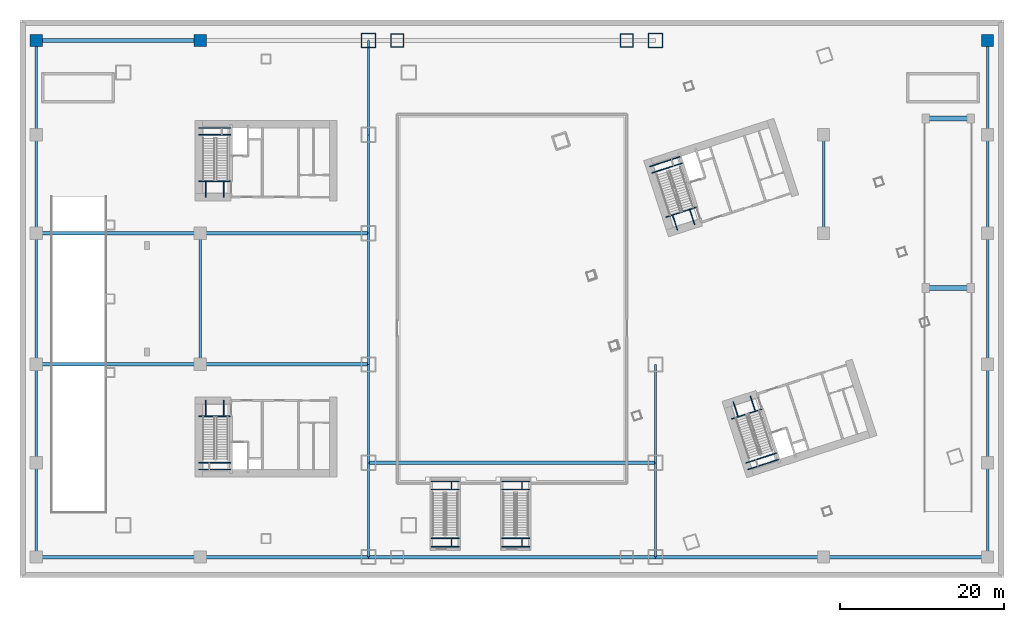
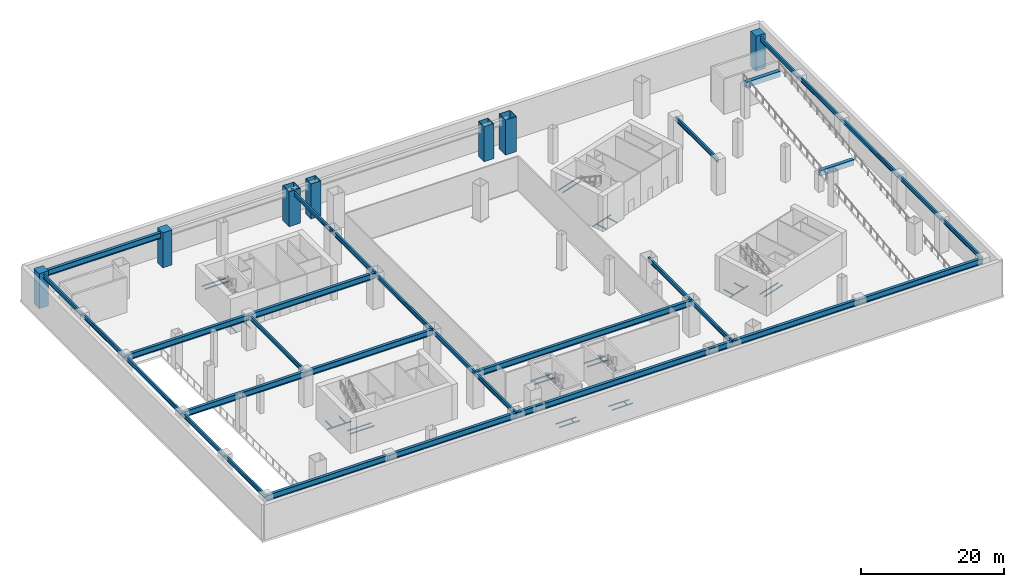
# One storey, part 3 of 20: 64 beams, 7 columns.
"""IFC4 building model written with IfcOpenShell, lengths in metres."""

from ifc_helpers import new_model, si_unit, direction, frame, origin, origin_2d, place, context, subcontext, project, spatial, rectangle, hollow_rectangle, i_section, extrude, material, material_profile, profile_set, type_object, element, save


model = new_model("IFC4")

# Units and contexts
model_context = context("Model", 3, precision=1e-05, world=origin(), true_north=direction((0.0, 1.0)))
body_context = subcontext(model_context, "Body", "Model", "MODEL_VIEW")
ifc_project = project(units=[si_unit("LENGTHUNIT", "METRE"), si_unit("AREAUNIT", "SQUARE_METRE"), si_unit("VOLUMEUNIT", "CUBIC_METRE"), si_unit("PLANEANGLEUNIT", "RADIAN"), si_unit("MASSUNIT", "GRAM", prefix="KILO")], contexts=[model_context])

# Site, building, storey
site_placement = place(None, origin())
site = spatial("IfcSite", under=ifc_project, at=site_placement, CompositionType="ELEMENT")
building_placement = place(site_placement, origin())
building = spatial("IfcBuilding", under=site, at=building_placement, Name="Qiaolan Cultural Towers", CompositionType="ELEMENT")
storey_placement = place(building_placement, frame((0.0, 0.0, -6.0)))
storey = spatial("IfcBuildingStorey", under=building, at=storey_placement, Name="B1", CompositionType="ELEMENT", Elevation=-6.0)

# Columns
ifc_material_1 = material(Name="Steel Q420GJB", Category="steel")
ifc_material_profile_1 = material_profile(ifc_material_1, hollow_rectangle(XDim=1.60009765625, YDim=1.60009765625, WallThickness=0.054931640625, at=origin_2d()), Name="BOX1600x1600x55")
ifc_profile_set_1 = profile_set([ifc_material_profile_1], Name="Steel Q420GJB")
column_type_1 = type_object("IfcColumnType", Name="COL-BOX1600x1600x55", PredefinedType="COLUMN", material=ifc_profile_set_1)
for number, where, z_axis, x_axis, name in (
    (1, (46.0, 65.5, 0.0), (0.0, 0.0, 1.0), (1.0, 0.0, 0.0), "B1 Podium Column PC-MID-46-65"),
    (2, (74.0, 65.5, 0.0), (0.0, 0.0, 1.0), (1.0, 0.0, 0.0), "B1 Podium Column PC-MID-74-65"),
):
    element("IfcColumn", number, at=place(storey_placement, frame(where, z_axis=z_axis, x_axis=x_axis)), inside=storey, type_object=column_type_1, Name=name, PredefinedType="COLUMN", context=body_context, shape_type="SweptSolid", body=[
        extrude(hollow_rectangle(XDim=1.60009765625, YDim=1.60009765625, WallThickness=0.054931640625, at=origin_2d()), origin(), (0.0, 0.0, 1.0), 6.0009765625),
    ])
ifc_material_2 = material(Name="Steel Q420GJB", Category="steel")
ifc_material_profile_2 = material_profile(ifc_material_2, hollow_rectangle(XDim=1.800048828125, YDim=1.800048828125, WallThickness=0.06005859375, at=origin_2d()), Name="BOX1800x1800x60")
ifc_profile_set_2 = profile_set([ifc_material_profile_2], Name="Steel Q420GJB")
column_type_2 = type_object("IfcColumnType", Name="COL-BOX1800x1800x60", PredefinedType="COLUMN", material=ifc_profile_set_2)
for number, where, z_axis, x_axis, name in (
    (3, (42.5, 65.5, 0.0), (0.0, 0.0, 1.0), (1.0, 0.0, 0.0), "B1 Podium Column PC-42-65"),
    (4, (77.5, 65.5, 0.0), (0.0, 0.0, 1.0), (1.0, 0.0, 0.0), "B1 Podium Column PC-77-65"),
):
    element("IfcColumn", number, at=place(storey_placement, frame(where, z_axis=z_axis, x_axis=x_axis)), inside=storey, type_object=column_type_2, Name=name, PredefinedType="COLUMN", context=body_context, shape_type="SweptSolid", body=[
        extrude(hollow_rectangle(XDim=1.800048828125, YDim=1.800048828125, WallThickness=0.06005859375, at=origin_2d()), origin(), (0.0, 0.0, 1.0), 6.0009765625),
    ])
ifc_material_3 = material(Name="Concrete C60", Category="concrete")
ifc_material_profile_3 = material_profile(ifc_material_3, rectangle(XDim=1.5, YDim=1.5, at=origin_2d()), Name="RC1500x1500")
ifc_profile_set_3 = profile_set([ifc_material_profile_3], Name="Concrete C60")
column_type_3 = type_object("IfcColumnType", Name="COL-RC1500x1500", PredefinedType="COLUMN", material=ifc_profile_set_3)
for number, where, z_axis, x_axis, name in (
    (5, (2.0, 65.5, 0.0), (0.0, 0.0, 1.0), (1.0, 0.0, 0.0), "B1 Podium Column PC-2-65"),
    (6, (22.0, 65.5, 0.0), (0.0, 0.0, 1.0), (1.0, 0.0, 0.0), "B1 Podium Column PC-22-65"),
    (7, (118.0, 65.5, 0.0), (0.0, 0.0, 1.0), (1.0, 0.0, 0.0), "B1 Podium Column PC-118-65"),
):
    element("IfcColumn", number, at=place(storey_placement, frame(where, z_axis=z_axis, x_axis=x_axis)), inside=storey, type_object=column_type_3, Name=name, PredefinedType="COLUMN", context=body_context, shape_type="SweptSolid", body=[
        extrude(rectangle(XDim=1.5, YDim=1.5, at=origin_2d()), origin(), (0.0, 0.0, 1.0), 6.0009765625),
    ])

# Beams
ifc_material_4 = material(Name="Steel Q390GJB", Category="steel")
ifc_material_profile_4 = material_profile(ifc_material_4, i_section(OverallWidth=0.449951171875, OverallDepth=1.0, WebThickness=0.02392578125, FlangeThickness=0.0400390625, at=origin_2d()), Name="BH1000x450x24x40")
ifc_profile_set_4 = profile_set([ifc_material_profile_4], Name="Steel Q390GJB")
beam_type_1 = type_object("IfcBeamType", Name="BM-BH1000x450x24x40", PredefinedType="BEAM", material=ifc_profile_set_4)
beam_1_placement = place(storey_placement, frame((2.0, 2.5, 5.199951171875), z_axis=(1.0, 0.0, 0.0), x_axis=(0.0, 1.0, 0.0)))
element("IfcBeam", 8, at=beam_1_placement, inside=storey, type_object=beam_type_1, Name="B1 Podium Primary Girder Y=2.5", PredefinedType="BEAM", context=body_context, shape_type="SweptSolid", body=[
    extrude(i_section(OverallWidth=0.449951171875, OverallDepth=1.0, WebThickness=0.02392578125, FlangeThickness=0.0400390625, at=origin_2d()), origin(), (0.0, 0.0, 1.0), 20.0),
])
beam_2_placement = place(storey_placement, frame((22.0, 2.5, 5.199951171875), z_axis=(1.0, 0.0, 0.0), x_axis=(0.0, 1.0, 0.0)))
element("IfcBeam", 9, at=beam_2_placement, inside=storey, type_object=beam_type_1, Name="B1 Podium Primary Girder Y=2.5", PredefinedType="BEAM", context=body_context, shape_type="SweptSolid", body=[
    extrude(i_section(OverallWidth=0.449951171875, OverallDepth=1.0, WebThickness=0.02392578125, FlangeThickness=0.0400390625, at=origin_2d()), origin(), (0.0, 0.0, 1.0), 20.5),
])
beam_3_placement = place(storey_placement, frame((42.5, 2.5, 5.199951171875), z_axis=(1.0, 0.0, 0.0), x_axis=(0.0, 1.0, 0.0)))
element("IfcBeam", 10, at=beam_3_placement, inside=storey, type_object=beam_type_1, Name="B1 Podium Primary Girder Y=2.5", PredefinedType="BEAM", context=body_context, shape_type="SweptSolid", body=[
    extrude(i_section(OverallWidth=0.449951171875, OverallDepth=1.0, WebThickness=0.02392578125, FlangeThickness=0.0400390625, at=origin_2d()), origin(), (0.0, 0.0, 1.0), 35.0),
])
beam_4_placement = place(storey_placement, frame((77.5, 2.5, 5.199951171875), z_axis=(1.0, 0.0, 0.0), x_axis=(0.0, 1.0, 0.0)))
element("IfcBeam", 11, at=beam_4_placement, inside=storey, type_object=beam_type_1, Name="B1 Podium Primary Girder Y=2.5", PredefinedType="BEAM", context=body_context, shape_type="SweptSolid", body=[
    extrude(i_section(OverallWidth=0.449951171875, OverallDepth=1.0, WebThickness=0.02392578125, FlangeThickness=0.0400390625, at=origin_2d()), origin(), (0.0, 0.0, 1.0), 20.5),
])
beam_5_placement = place(storey_placement, frame((98.0, 2.5, 5.199951171875), z_axis=(1.0, 0.0, 0.0), x_axis=(0.0, 1.0, 0.0)))
element("IfcBeam", 12, at=beam_5_placement, inside=storey, type_object=beam_type_1, Name="B1 Podium Primary Girder Y=2.5", PredefinedType="BEAM", context=body_context, shape_type="SweptSolid", body=[
    extrude(i_section(OverallWidth=0.449951171875, OverallDepth=1.0, WebThickness=0.02392578125, FlangeThickness=0.0400390625, at=origin_2d()), origin(), (0.0, 0.0, 1.0), 20.0),
])
beam_6_placement = place(storey_placement, frame((42.5, 14.0, 5.199951171875), z_axis=(1.0, 0.0, 0.0), x_axis=(0.0, 1.0, 0.0)))
element("IfcBeam", 13, at=beam_6_placement, inside=storey, type_object=beam_type_1, Name="B1 Podium Primary Girder Y=14.0", PredefinedType="BEAM", context=body_context, shape_type="SweptSolid", body=[
    extrude(i_section(OverallWidth=0.449951171875, OverallDepth=1.0, WebThickness=0.02392578125, FlangeThickness=0.0400390625, at=origin_2d()), origin(), (0.0, 0.0, 1.0), 35.0),
])
beam_7_placement = place(storey_placement, frame((2.0, 26.0, 5.199951171875), z_axis=(1.0, 0.0, 0.0), x_axis=(0.0, 1.0, 0.0)))
element("IfcBeam", 14, at=beam_7_placement, inside=storey, type_object=beam_type_1, Name="B1 Podium Primary Girder Y=26.0", PredefinedType="BEAM", context=body_context, shape_type="SweptSolid", body=[
    extrude(i_section(OverallWidth=0.449951171875, OverallDepth=1.0, WebThickness=0.02392578125, FlangeThickness=0.0400390625, at=origin_2d()), origin(), (0.0, 0.0, 1.0), 20.0),
])
beam_8_placement = place(storey_placement, frame((22.0, 26.0, 5.199951171875), z_axis=(1.0, 0.0, 0.0), x_axis=(0.0, 1.0, 0.0)))
element("IfcBeam", 15, at=beam_8_placement, inside=storey, type_object=beam_type_1, Name="B1 Podium Primary Girder Y=26.0", PredefinedType="BEAM", context=body_context, shape_type="SweptSolid", body=[
    extrude(i_section(OverallWidth=0.449951171875, OverallDepth=1.0, WebThickness=0.02392578125, FlangeThickness=0.0400390625, at=origin_2d()), origin(), (0.0, 0.0, 1.0), 20.5),
])
beam_9_placement = place(storey_placement, frame((2.0, 42.0, 5.199951171875), z_axis=(1.0, 0.0, 0.0), x_axis=(0.0, 1.0, 0.0)))
element("IfcBeam", 16, at=beam_9_placement, inside=storey, type_object=beam_type_1, Name="B1 Podium Primary Girder Y=42.0", PredefinedType="BEAM", context=body_context, shape_type="SweptSolid", body=[
    extrude(i_section(OverallWidth=0.449951171875, OverallDepth=1.0, WebThickness=0.02392578125, FlangeThickness=0.0400390625, at=origin_2d()), origin(), (0.0, 0.0, 1.0), 20.0),
])
beam_10_placement = place(storey_placement, frame((22.0, 42.0, 5.199951171875), z_axis=(1.0, 0.0, 0.0), x_axis=(0.0, 1.0, 0.0)))
element("IfcBeam", 17, at=beam_10_placement, inside=storey, type_object=beam_type_1, Name="B1 Podium Primary Girder Y=42.0", PredefinedType="BEAM", context=body_context, shape_type="SweptSolid", body=[
    extrude(i_section(OverallWidth=0.449951171875, OverallDepth=1.0, WebThickness=0.02392578125, FlangeThickness=0.0400390625, at=origin_2d()), origin(), (0.0, 0.0, 1.0), 20.5),
])
beam_11_placement = place(storey_placement, frame((2.0, 65.5, 5.199951171875), z_axis=(1.0, 0.0, 0.0), x_axis=(0.0, 1.0, 0.0)))
element("IfcBeam", 18, at=beam_11_placement, inside=storey, type_object=beam_type_1, Name="B1 Podium Primary Girder Y=65.5", PredefinedType="BEAM", context=body_context, shape_type="SweptSolid", body=[
    extrude(i_section(OverallWidth=0.449951171875, OverallDepth=1.0, WebThickness=0.02392578125, FlangeThickness=0.0400390625, at=origin_2d()), origin(), (0.0, 0.0, 1.0), 20.0),
])
ifc_material_5 = material(Name="Steel Q355B", Category="steel")
ifc_material_profile_5 = material_profile(ifc_material_5, i_section(OverallWidth=0.300048828125, OverallDepth=0.699951171875, WebThickness=0.012939453125, FlangeThickness=0.02392578125, at=origin_2d()), Name="HN700x300x13x24")
ifc_profile_set_5 = profile_set([ifc_material_profile_5], Name="Steel Q355B")
beam_type_2 = type_object("IfcBeamType", Name="BM-HN700x300x13x24", PredefinedType="BEAM", material=ifc_profile_set_5)
beam_12_placement = place(storey_placement, frame((2.0, 2.5, 5.35009765625), z_axis=(0.0, 1.0, 0.0), x_axis=(-1.0, 0.0, 0.0)))
element("IfcBeam", 19, at=beam_12_placement, inside=storey, type_object=beam_type_2, Name="B1 Podium Transverse Beam X=2.0", PredefinedType="BEAM", context=body_context, shape_type="SweptSolid", body=[
    extrude(i_section(OverallWidth=0.300048828125, OverallDepth=0.699951171875, WebThickness=0.012939453125, FlangeThickness=0.02392578125, at=origin_2d()), origin(), (0.0, 0.0, 1.0), 11.5),
])
beam_13_placement = place(storey_placement, frame((2.0, 14.0, 5.35009765625), z_axis=(0.0, 1.0, 0.0), x_axis=(-1.0, 0.0, 0.0)))
element("IfcBeam", 20, at=beam_13_placement, inside=storey, type_object=beam_type_2, Name="B1 Podium Transverse Beam X=2.0", PredefinedType="BEAM", context=body_context, shape_type="SweptSolid", body=[
    extrude(i_section(OverallWidth=0.300048828125, OverallDepth=0.699951171875, WebThickness=0.012939453125, FlangeThickness=0.02392578125, at=origin_2d()), origin(), (0.0, 0.0, 1.0), 12.0),
])
beam_14_placement = place(storey_placement, frame((2.0, 26.0, 5.35009765625), z_axis=(0.0, 1.0, 0.0), x_axis=(-1.0, 0.0, 0.0)))
element("IfcBeam", 21, at=beam_14_placement, inside=storey, type_object=beam_type_2, Name="B1 Podium Transverse Beam X=2.0", PredefinedType="BEAM", context=body_context, shape_type="SweptSolid", body=[
    extrude(i_section(OverallWidth=0.300048828125, OverallDepth=0.699951171875, WebThickness=0.012939453125, FlangeThickness=0.02392578125, at=origin_2d()), origin(), (0.0, 0.0, 1.0), 16.0),
])
beam_15_placement = place(storey_placement, frame((2.0, 42.0, 5.35009765625), z_axis=(0.0, 1.0, 0.0), x_axis=(-1.0, 0.0, 0.0)))
element("IfcBeam", 22, at=beam_15_placement, inside=storey, type_object=beam_type_2, Name="B1 Podium Transverse Beam X=2.0", PredefinedType="BEAM", context=body_context, shape_type="SweptSolid", body=[
    extrude(i_section(OverallWidth=0.300048828125, OverallDepth=0.699951171875, WebThickness=0.012939453125, FlangeThickness=0.02392578125, at=origin_2d()), origin(), (0.0, 0.0, 1.0), 12.0),
])
beam_16_placement = place(storey_placement, frame((2.0, 54.0, 5.35009765625), z_axis=(0.0, 1.0, 0.0), x_axis=(-1.0, 0.0, 0.0)))
element("IfcBeam", 23, at=beam_16_placement, inside=storey, type_object=beam_type_2, Name="B1 Podium Transverse Beam X=2.0", PredefinedType="BEAM", context=body_context, shape_type="SweptSolid", body=[
    extrude(i_section(OverallWidth=0.300048828125, OverallDepth=0.699951171875, WebThickness=0.012939453125, FlangeThickness=0.02392578125, at=origin_2d()), origin(), (0.0, 0.0, 1.0), 11.5),
])
beam_17_placement = place(storey_placement, frame((22.0, 26.0, 5.35009765625), z_axis=(0.0, 1.0, 0.0), x_axis=(-1.0, 0.0, 0.0)))
element("IfcBeam", 24, at=beam_17_placement, inside=storey, type_object=beam_type_2, Name="B1 Podium Transverse Beam X=22.0", PredefinedType="BEAM", context=body_context, shape_type="SweptSolid", body=[
    extrude(i_section(OverallWidth=0.300048828125, OverallDepth=0.699951171875, WebThickness=0.012939453125, FlangeThickness=0.02392578125, at=origin_2d()), origin(), (0.0, 0.0, 1.0), 16.0),
])
beam_18_placement = place(storey_placement, frame((42.5, 2.5, 5.35009765625), z_axis=(0.0, 1.0, 0.0), x_axis=(-1.0, 0.0, 0.0)))
element("IfcBeam", 25, at=beam_18_placement, inside=storey, type_object=beam_type_2, Name="B1 Podium Transverse Beam X=42.5", PredefinedType="BEAM", context=body_context, shape_type="SweptSolid", body=[
    extrude(i_section(OverallWidth=0.300048828125, OverallDepth=0.699951171875, WebThickness=0.012939453125, FlangeThickness=0.02392578125, at=origin_2d()), origin(), (0.0, 0.0, 1.0), 11.5),
])
beam_19_placement = place(storey_placement, frame((42.5, 14.0, 5.35009765625), z_axis=(0.0, 1.0, 0.0), x_axis=(-1.0, 0.0, 0.0)))
element("IfcBeam", 26, at=beam_19_placement, inside=storey, type_object=beam_type_2, Name="B1 Podium Transverse Beam X=42.5", PredefinedType="BEAM", context=body_context, shape_type="SweptSolid", body=[
    extrude(i_section(OverallWidth=0.300048828125, OverallDepth=0.699951171875, WebThickness=0.012939453125, FlangeThickness=0.02392578125, at=origin_2d()), origin(), (0.0, 0.0, 1.0), 12.0),
])
beam_20_placement = place(storey_placement, frame((42.5, 26.0, 5.35009765625), z_axis=(0.0, 1.0, 0.0), x_axis=(-1.0, 0.0, 0.0)))
element("IfcBeam", 27, at=beam_20_placement, inside=storey, type_object=beam_type_2, Name="B1 Podium Transverse Beam X=42.5", PredefinedType="BEAM", context=body_context, shape_type="SweptSolid", body=[
    extrude(i_section(OverallWidth=0.300048828125, OverallDepth=0.699951171875, WebThickness=0.012939453125, FlangeThickness=0.02392578125, at=origin_2d()), origin(), (0.0, 0.0, 1.0), 16.0),
])
beam_21_placement = place(storey_placement, frame((42.5, 42.0, 5.35009765625), z_axis=(0.0, 1.0, 0.0), x_axis=(-1.0, 0.0, 0.0)))
element("IfcBeam", 28, at=beam_21_placement, inside=storey, type_object=beam_type_2, Name="B1 Podium Transverse Beam X=42.5", PredefinedType="BEAM", context=body_context, shape_type="SweptSolid", body=[
    extrude(i_section(OverallWidth=0.300048828125, OverallDepth=0.699951171875, WebThickness=0.012939453125, FlangeThickness=0.02392578125, at=origin_2d()), origin(), (0.0, 0.0, 1.0), 12.0),
])
for number, where, z_axis, x_axis, name in (
    (29, (42.5, 54.0, 5.35009765625), (0.0, 1.0, 0.0), (-1.0, 0.0, 0.0), "B1 Podium Transverse Beam X=42.5"),
    (30, (77.5, 2.5, 5.35009765625), (0.0, 1.0, 0.0), (-1.0, 0.0, 0.0), "B1 Podium Transverse Beam X=77.5"),
):
    element("IfcBeam", number, at=place(storey_placement, frame(where, z_axis=z_axis, x_axis=x_axis)), inside=storey, type_object=beam_type_2, Name=name, PredefinedType="BEAM", context=body_context, shape_type="SweptSolid", body=[
        extrude(i_section(OverallWidth=0.300048828125, OverallDepth=0.699951171875, WebThickness=0.012939453125, FlangeThickness=0.02392578125, at=origin_2d()), origin(), (0.0, 0.0, 1.0), 11.5),
    ])
for number, where, z_axis, x_axis, name in (
    (31, (77.5, 14.0, 5.35009765625), (0.0, 1.0, 0.0), (-1.0, 0.0, 0.0), "B1 Podium Transverse Beam X=77.5"),
    (32, (98.0, 42.0, 5.35009765625), (0.0, 1.0, 0.0), (-1.0, 0.0, 0.0), "B1 Podium Transverse Beam X=98.0"),
):
    element("IfcBeam", number, at=place(storey_placement, frame(where, z_axis=z_axis, x_axis=x_axis)), inside=storey, type_object=beam_type_2, Name=name, PredefinedType="BEAM", context=body_context, shape_type="SweptSolid", body=[
        extrude(i_section(OverallWidth=0.300048828125, OverallDepth=0.699951171875, WebThickness=0.012939453125, FlangeThickness=0.02392578125, at=origin_2d()), origin(), (0.0, 0.0, 1.0), 12.0),
    ])
beam_22_placement = place(storey_placement, frame((118.0, 2.5, 5.35009765625), z_axis=(0.0, 1.0, 0.0), x_axis=(-1.0, 0.0, 0.0)))
element("IfcBeam", 33, at=beam_22_placement, inside=storey, type_object=beam_type_2, Name="B1 Podium Transverse Beam X=118.0", PredefinedType="BEAM", context=body_context, shape_type="SweptSolid", body=[
    extrude(i_section(OverallWidth=0.300048828125, OverallDepth=0.699951171875, WebThickness=0.012939453125, FlangeThickness=0.02392578125, at=origin_2d()), origin(), (0.0, 0.0, 1.0), 11.5),
])
beam_23_placement = place(storey_placement, frame((118.0, 14.0, 5.35009765625), z_axis=(0.0, 1.0, 0.0), x_axis=(-1.0, 0.0, 0.0)))
element("IfcBeam", 34, at=beam_23_placement, inside=storey, type_object=beam_type_2, Name="B1 Podium Transverse Beam X=118.0", PredefinedType="BEAM", context=body_context, shape_type="SweptSolid", body=[
    extrude(i_section(OverallWidth=0.300048828125, OverallDepth=0.699951171875, WebThickness=0.012939453125, FlangeThickness=0.02392578125, at=origin_2d()), origin(), (0.0, 0.0, 1.0), 12.0),
])
beam_24_placement = place(storey_placement, frame((118.0, 26.0, 5.35009765625), z_axis=(0.0, 1.0, 0.0), x_axis=(-1.0, 0.0, 0.0)))
element("IfcBeam", 35, at=beam_24_placement, inside=storey, type_object=beam_type_2, Name="B1 Podium Transverse Beam X=118.0", PredefinedType="BEAM", context=body_context, shape_type="SweptSolid", body=[
    extrude(i_section(OverallWidth=0.300048828125, OverallDepth=0.699951171875, WebThickness=0.012939453125, FlangeThickness=0.02392578125, at=origin_2d()), origin(), (0.0, 0.0, 1.0), 16.0),
])
beam_25_placement = place(storey_placement, frame((118.0, 42.0, 5.35009765625), z_axis=(0.0, 1.0, 0.0), x_axis=(-1.0, 0.0, 0.0)))
element("IfcBeam", 36, at=beam_25_placement, inside=storey, type_object=beam_type_2, Name="B1 Podium Transverse Beam X=118.0", PredefinedType="BEAM", context=body_context, shape_type="SweptSolid", body=[
    extrude(i_section(OverallWidth=0.300048828125, OverallDepth=0.699951171875, WebThickness=0.012939453125, FlangeThickness=0.02392578125, at=origin_2d()), origin(), (0.0, 0.0, 1.0), 12.0),
])
beam_26_placement = place(storey_placement, frame((118.0, 54.0, 5.35009765625), z_axis=(0.0, 1.0, 0.0), x_axis=(-1.0, 0.0, 0.0)))
element("IfcBeam", 37, at=beam_26_placement, inside=storey, type_object=beam_type_2, Name="B1 Podium Transverse Beam X=118.0", PredefinedType="BEAM", context=body_context, shape_type="SweptSolid", body=[
    extrude(i_section(OverallWidth=0.300048828125, OverallDepth=0.699951171875, WebThickness=0.012939453125, FlangeThickness=0.02392578125, at=origin_2d()), origin(), (0.0, 0.0, 1.0), 11.5),
])
ifc_material_6 = material(Name="Concrete C50", Category="concrete")
ifc_material_profile_6 = material_profile(ifc_material_6, rectangle(XDim=0.60009765625, YDim=0.949951171875, at=origin_2d()), Name="RC600x950")
ifc_profile_set_6 = profile_set([ifc_material_profile_6], Name="Concrete C50")
beam_type_3 = type_object("IfcBeamType", Name="BM-SPD-RC600x950", PredefinedType="SPANDREL", material=ifc_profile_set_6)
for number, where, z_axis, x_axis, name in (
    (38, (110.449951171875, 35.300048828125, 2.949951171875), (1.0, 0.0, 0.0), (0.0, 1.0, 0.0), "B1 Vehicle Ramp Mid-Span Support Beam"),
    (39, (110.449951171875, 56.0, 5.52001953125), (1.0, 0.0, 0.0), (0.0, 1.0, 0.0), "B1 Vehicle Ramp Top Landing Support Beam"),
):
    element("IfcBeam", number, at=place(storey_placement, frame(where, z_axis=z_axis, x_axis=x_axis)), inside=storey, type_object=beam_type_3, Name=name, PredefinedType="SPANDREL", context=body_context, shape_type="SweptSolid", body=[
        extrude(rectangle(XDim=0.60009765625, YDim=0.949951171875, at=origin_2d()), origin(), (0.0, 0.0, 1.0), 5.5),
    ])
ifc_material_7 = material(Name="Steel Q355B", Category="steel")
ifc_material_profile_7 = material_profile(ifc_material_7, i_section(OverallWidth=0.10009765625, OverallDepth=0.199951171875, WebThickness=0.005615234375, FlangeThickness=0.008056640625, at=origin_2d()), Name="HN200x100x5.5x8")
ifc_profile_set_7 = profile_set([ifc_material_profile_7], Name="Steel Q355B")
beam_type_4 = type_object("IfcBeamType", Name="BM-STTRIM-200", PredefinedType="BEAM", material=ifc_profile_set_7)
beam_27_placement = place(storey_placement, frame((21.800048828125, 19.659912109375, -0.4599609375), z_axis=(1.0, 0.0, 0.0), x_axis=(0.0, 1.0, 0.0)))
element("IfcBeam", 40, at=beam_27_placement, inside=storey, type_object=beam_type_4, Name="B1 ST-W1 Floor Landing Header Beam", PredefinedType="BEAM", context=body_context, shape_type="SweptSolid", body=[
    extrude(i_section(OverallWidth=0.10009765625, OverallDepth=0.199951171875, WebThickness=0.005615234375, FlangeThickness=0.008056640625, at=origin_2d()), origin(), (0.0, 0.0, 1.0), 3.919921875),
])
for number, where, z_axis, x_axis, name in (
    (41, (22.64990234375, 21.60009765625, -0.4599609375), (0.0, -1.0, 0.0), (1.0, 0.0, 0.0), "B1 ST-W1 Floor Landing Stringer 1"),
    (42, (24.85009765625, 21.60009765625, -0.4599609375), (0.0, -1.0, 0.0), (1.0, 0.0, 0.0), "B1 ST-W1 Floor Landing Stringer 2"),
):
    element("IfcBeam", number, at=place(storey_placement, frame(where, z_axis=z_axis, x_axis=x_axis)), inside=storey, type_object=beam_type_4, Name=name, PredefinedType="BEAM", context=body_context, shape_type="SweptSolid", body=[
        extrude(i_section(OverallWidth=0.10009765625, OverallDepth=0.199951171875, WebThickness=0.005615234375, FlangeThickness=0.008056640625, at=origin_2d()), origin(), (0.0, 0.0, 1.0), 1.940185546875),
    ])
for number, where, z_axis, x_axis, name in (
    (43, (21.800048828125, 14.01123046875, 2.699951171875), (1.0, 0.0, 0.0), (0.0, 1.0, 0.0), "B1 ST-W1 Stair Landing Support Beam 1-1"),
    (44, (21.800048828125, 13.179931640625, 2.699951171875), (1.0, 0.0, 0.0), (0.0, 1.0, 0.0), "B1 ST-W1 Stair Landing Support Beam 1-2"),
    (45, (21.800048828125, 48.340087890625, -0.4599609375), (1.0, 0.0, 0.0), (0.0, 1.0, 0.0), "B1 ST-W2 Floor Landing Header Beam"),
):
    element("IfcBeam", number, at=place(storey_placement, frame(where, z_axis=z_axis, x_axis=x_axis)), inside=storey, type_object=beam_type_4, Name=name, PredefinedType="BEAM", context=body_context, shape_type="SweptSolid", body=[
        extrude(i_section(OverallWidth=0.10009765625, OverallDepth=0.199951171875, WebThickness=0.005615234375, FlangeThickness=0.008056640625, at=origin_2d()), origin(), (0.0, 0.0, 1.0), 3.919921875),
    ])
for number, where, z_axis, x_axis, name in (
    (46, (22.64990234375, 46.39990234375, -0.4599609375), (0.0, 1.0, 0.0), (-1.0, 0.0, 0.0), "B1 ST-W2 Floor Landing Stringer 1"),
    (47, (24.85009765625, 46.39990234375, -0.4599609375), (0.0, 1.0, 0.0), (-1.0, 0.0, 0.0), "B1 ST-W2 Floor Landing Stringer 2"),
):
    element("IfcBeam", number, at=place(storey_placement, frame(where, z_axis=z_axis, x_axis=x_axis)), inside=storey, type_object=beam_type_4, Name=name, PredefinedType="BEAM", context=body_context, shape_type="SweptSolid", body=[
        extrude(i_section(OverallWidth=0.10009765625, OverallDepth=0.199951171875, WebThickness=0.005615234375, FlangeThickness=0.008056640625, at=origin_2d()), origin(), (0.0, 0.0, 1.0), 1.940185546875),
    ])
for number, where, z_axis, x_axis, name in (
    (48, (21.800048828125, 53.98876953125, 2.699951171875), (1.0, 0.0, 0.0), (0.0, 1.0, 0.0), "B1 ST-W2 Stair Landing Support Beam 1-1"),
    (49, (21.800048828125, 54.820068359375, 2.699951171875), (1.0, 0.0, 0.0), (0.0, 1.0, 0.0), "B1 ST-W2 Stair Landing Support Beam 1-2"),
    (50, (86.770751953125, 19.3447265625, -0.4599609375), (0.951047798727, 0.309043823005, 0.0), (-0.309043823005, 0.951047798727, 0.0), "B1 ST-E1 Floor Landing Header Beam"),
):
    element("IfcBeam", number, at=place(storey_placement, frame(where, z_axis=z_axis, x_axis=x_axis)), inside=storey, type_object=beam_type_4, Name=name, PredefinedType="BEAM", context=body_context, shape_type="SweptSolid", body=[
        extrude(i_section(OverallWidth=0.10009765625, OverallDepth=0.199951171875, WebThickness=0.005615234375, FlangeThickness=0.008056640625, at=origin_2d()), origin(), (0.0, 0.0, 1.0), 3.919921875),
    ])
for number, where, z_axis, x_axis, name in (
    (51, (86.9794921875, 21.452392578125, -0.4599609375), (0.309083226701, -0.951034993558, 0.0), (0.951034993558, 0.309083226701, 0.0), "B1 ST-E1 Floor Landing Stringer 1"),
    (52, (89.07177734375, 22.13232421875, -0.4599609375), (0.309083226701, -0.951034993558, 0.0), (0.951034993558, 0.309083226701, 0.0), "B1 ST-E1 Floor Landing Stringer 2"),
):
    element("IfcBeam", number, at=place(storey_placement, frame(where, z_axis=z_axis, x_axis=x_axis)), inside=storey, type_object=beam_type_4, Name=name, PredefinedType="BEAM", context=body_context, shape_type="SweptSolid", body=[
        extrude(i_section(OverallWidth=0.10009765625, OverallDepth=0.199951171875, WebThickness=0.005615234375, FlangeThickness=0.008056640625, at=origin_2d()), origin(), (0.0, 0.0, 1.0), 1.93994140625),
    ])
beam_28_placement = place(storey_placement, frame((88.51611328125, 13.97265625, 2.699951171875), z_axis=(0.951072048947, 0.3089691857, 0.0), x_axis=(-0.3089691857, 0.951072048947, 0.0)))
element("IfcBeam", 53, at=beam_28_placement, inside=storey, type_object=beam_type_4, Name="B1 ST-E1 Stair Landing Support Beam 1-1", PredefinedType="BEAM", context=body_context, shape_type="SweptSolid", body=[
    extrude(i_section(OverallWidth=0.10009765625, OverallDepth=0.199951171875, WebThickness=0.005615234375, FlangeThickness=0.008056640625, at=origin_2d()), origin(), (0.0, 0.0, 1.0), 3.920166015625),
])
beam_29_placement = place(storey_placement, frame((88.773193359375, 13.181884765625, 2.699951171875), z_axis=(0.951047798727, 0.309043823005, 0.0), x_axis=(-0.309043823005, 0.951047798727, 0.0)))
element("IfcBeam", 54, at=beam_29_placement, inside=storey, type_object=beam_type_4, Name="B1 ST-E1 Stair Landing Support Beam 1-2", PredefinedType="BEAM", context=body_context, shape_type="SweptSolid", body=[
    extrude(i_section(OverallWidth=0.10009765625, OverallDepth=0.199951171875, WebThickness=0.005615234375, FlangeThickness=0.008056640625, at=origin_2d()), origin(), (0.0, 0.0, 1.0), 3.919921875),
])
beam_30_placement = place(storey_placement, frame((78.773193359375, 43.958251953125, -0.4599609375), z_axis=(0.951072048947, 0.3089691857, 0.0), x_axis=(-0.3089691857, 0.951072048947, 0.0)))
element("IfcBeam", 55, at=beam_30_placement, inside=storey, type_object=beam_type_4, Name="B1 ST-E2 Floor Landing Header Beam", PredefinedType="BEAM", context=body_context, shape_type="SweptSolid", body=[
    extrude(i_section(OverallWidth=0.10009765625, OverallDepth=0.199951171875, WebThickness=0.005615234375, FlangeThickness=0.008056640625, at=origin_2d()), origin(), (0.0, 0.0, 1.0), 3.920166015625),
])
for number, where, z_axis, x_axis, name in (
    (56, (80.18115234375, 42.375732421875, -0.4599609375), (-0.308969394428, 0.951071981138, 0.0), (-0.951071981138, -0.308969394428, 0.0), "B1 ST-E2 Floor Landing Stringer 1"),
    (57, (82.2734375, 43.0556640625, -0.4599609375), (-0.308969394428, 0.951071981138, 0.0), (-0.951071981138, -0.308969394428, 0.0), "B1 ST-E2 Floor Landing Stringer 2"),
):
    element("IfcBeam", number, at=place(storey_placement, frame(where, z_axis=z_axis, x_axis=x_axis)), inside=storey, type_object=beam_type_4, Name=name, PredefinedType="BEAM", context=body_context, shape_type="SweptSolid", body=[
        extrude(i_section(OverallWidth=0.10009765625, OverallDepth=0.199951171875, WebThickness=0.005615234375, FlangeThickness=0.008056640625, at=origin_2d()), origin(), (0.0, 0.0, 1.0), 1.93994140625),
    ])
beam_31_placement = place(storey_placement, frame((77.02783203125, 49.330322265625, 2.699951171875), z_axis=(0.951047798727, 0.309043823005, 0.0), x_axis=(-0.309043823005, 0.951047798727, 0.0)))
element("IfcBeam", 58, at=beam_31_placement, inside=storey, type_object=beam_type_4, Name="B1 ST-E2 Stair Landing Support Beam 1-1", PredefinedType="BEAM", context=body_context, shape_type="SweptSolid", body=[
    extrude(i_section(OverallWidth=0.10009765625, OverallDepth=0.199951171875, WebThickness=0.005615234375, FlangeThickness=0.008056640625, at=origin_2d()), origin(), (0.0, 0.0, 1.0), 3.919921875),
])
beam_32_placement = place(storey_placement, frame((76.770751953125, 50.12109375, 2.699951171875), z_axis=(0.951072048947, 0.3089691857, 0.0), x_axis=(-0.3089691857, 0.951072048947, 0.0)))
element("IfcBeam", 59, at=beam_32_placement, inside=storey, type_object=beam_type_4, Name="B1 ST-E2 Stair Landing Support Beam 1-2", PredefinedType="BEAM", context=body_context, shape_type="SweptSolid", body=[
    extrude(i_section(OverallWidth=0.10009765625, OverallDepth=0.199951171875, WebThickness=0.005615234375, FlangeThickness=0.008056640625, at=origin_2d()), origin(), (0.0, 0.0, 1.0), 3.920166015625),
])
for number, where, z_axis, x_axis, name in (
    (60, (53.550048828125, 3.780029296875, -0.4599609375), (-1.0, 0.0, 0.0), (0.0, -1.0, 0.0), "B1 ST-M1 Floor Landing Beam 1"),
    (61, (53.550048828125, 4.780029296875, -0.4599609375), (-1.0, 0.0, 0.0), (0.0, -1.0, 0.0), "B1 ST-M1 Floor Landing Beam 2"),
):
    element("IfcBeam", number, at=place(storey_placement, frame(where, z_axis=z_axis, x_axis=x_axis)), inside=storey, type_object=beam_type_4, Name=name, PredefinedType="BEAM", context=body_context, shape_type="SweptSolid", body=[
        extrude(i_section(OverallWidth=0.10009765625, OverallDepth=0.199951171875, WebThickness=0.005615234375, FlangeThickness=0.008056640625, at=origin_2d()), origin(), (0.0, 0.0, 1.0), 3.400146484375),
    ])
beam_33_placement = place(storey_placement, frame((52.625, 3.780029296875, -0.4599609375), z_axis=(0.0, 1.0, 0.0), x_axis=(-1.0, 0.0, 0.0)))
element("IfcBeam", 62, at=beam_33_placement, inside=storey, type_object=beam_type_4, Name="B1 ST-M1 Floor Landing Trimmer", PredefinedType="BEAM", context=body_context, shape_type="SweptSolid", body=[
    extrude(i_section(OverallWidth=0.10009765625, OverallDepth=0.199951171875, WebThickness=0.005615234375, FlangeThickness=0.008056640625, at=origin_2d()), origin(), (0.0, 0.0, 1.0), 1.0),
])
for number, where, z_axis, x_axis, name in (
    (63, (53.550048828125, 10.73876953125, 2.699951171875), (-1.0, 0.0, 0.0), (0.0, -1.0, 0.0), "B1 ST-M1 Stair Landing Support Beam 1-1"),
    (64, (53.550048828125, 11.719970703125, 2.699951171875), (-1.0, 0.0, 0.0), (0.0, -1.0, 0.0), "B1 ST-M1 Stair Landing Support Beam 1-2"),
):
    element("IfcBeam", number, at=place(storey_placement, frame(where, z_axis=z_axis, x_axis=x_axis)), inside=storey, type_object=beam_type_4, Name=name, PredefinedType="BEAM", context=body_context, shape_type="SweptSolid", body=[
        extrude(i_section(OverallWidth=0.10009765625, OverallDepth=0.199951171875, WebThickness=0.005615234375, FlangeThickness=0.008056640625, at=origin_2d()), origin(), (0.0, 0.0, 1.0), 3.400146484375),
    ])
beam_34_placement = place(storey_placement, frame((52.625, 10.73876953125, 2.699951171875), z_axis=(0.0, 1.0, 0.0), x_axis=(-1.0, 0.0, 0.0)))
element("IfcBeam", 65, at=beam_34_placement, inside=storey, type_object=beam_type_4, Name="B1 ST-M1 Stair Landing Trimmer 1", PredefinedType="BEAM", context=body_context, shape_type="SweptSolid", body=[
    extrude(i_section(OverallWidth=0.10009765625, OverallDepth=0.199951171875, WebThickness=0.005615234375, FlangeThickness=0.008056640625, at=origin_2d()), origin(), (0.0, 0.0, 1.0), 0.981201171875),
])
for number, where, z_axis, x_axis, name in (
    (66, (62.14990234375, 3.780029296875, -0.4599609375), (-1.0, 0.0, 0.0), (0.0, -1.0, 0.0), "B1 ST-M2 Floor Landing Beam 1"),
    (67, (62.14990234375, 4.780029296875, -0.4599609375), (-1.0, 0.0, 0.0), (0.0, -1.0, 0.0), "B1 ST-M2 Floor Landing Beam 2"),
):
    element("IfcBeam", number, at=place(storey_placement, frame(where, z_axis=z_axis, x_axis=x_axis)), inside=storey, type_object=beam_type_4, Name=name, PredefinedType="BEAM", context=body_context, shape_type="SweptSolid", body=[
        extrude(i_section(OverallWidth=0.10009765625, OverallDepth=0.199951171875, WebThickness=0.005615234375, FlangeThickness=0.008056640625, at=origin_2d()), origin(), (0.0, 0.0, 1.0), 3.39990234375),
    ])
beam_35_placement = place(storey_placement, frame((61.22509765625, 3.780029296875, -0.4599609375), z_axis=(0.0, 1.0, 0.0), x_axis=(-1.0, 0.0, 0.0)))
element("IfcBeam", 68, at=beam_35_placement, inside=storey, type_object=beam_type_4, Name="B1 ST-M2 Floor Landing Trimmer", PredefinedType="BEAM", context=body_context, shape_type="SweptSolid", body=[
    extrude(i_section(OverallWidth=0.10009765625, OverallDepth=0.199951171875, WebThickness=0.005615234375, FlangeThickness=0.008056640625, at=origin_2d()), origin(), (0.0, 0.0, 1.0), 1.0),
])
for number, where, z_axis, x_axis, name in (
    (69, (62.14990234375, 10.73876953125, 2.699951171875), (-1.0, 0.0, 0.0), (0.0, -1.0, 0.0), "B1 ST-M2 Stair Landing Support Beam 1-1"),
    (70, (62.14990234375, 11.719970703125, 2.699951171875), (-1.0, 0.0, 0.0), (0.0, -1.0, 0.0), "B1 ST-M2 Stair Landing Support Beam 1-2"),
):
    element("IfcBeam", number, at=place(storey_placement, frame(where, z_axis=z_axis, x_axis=x_axis)), inside=storey, type_object=beam_type_4, Name=name, PredefinedType="BEAM", context=body_context, shape_type="SweptSolid", body=[
        extrude(i_section(OverallWidth=0.10009765625, OverallDepth=0.199951171875, WebThickness=0.005615234375, FlangeThickness=0.008056640625, at=origin_2d()), origin(), (0.0, 0.0, 1.0), 3.39990234375),
    ])
beam_36_placement = place(storey_placement, frame((61.22509765625, 10.73876953125, 2.699951171875), z_axis=(0.0, 1.0, 0.0), x_axis=(-1.0, 0.0, 0.0)))
element("IfcBeam", 71, at=beam_36_placement, inside=storey, type_object=beam_type_4, Name="B1 ST-M2 Stair Landing Trimmer 1", PredefinedType="BEAM", context=body_context, shape_type="SweptSolid", body=[
    extrude(i_section(OverallWidth=0.10009765625, OverallDepth=0.199951171875, WebThickness=0.005615234375, FlangeThickness=0.008056640625, at=origin_2d()), origin(), (0.0, 0.0, 1.0), 0.981201171875),
])

save(model, "model.ifc")
